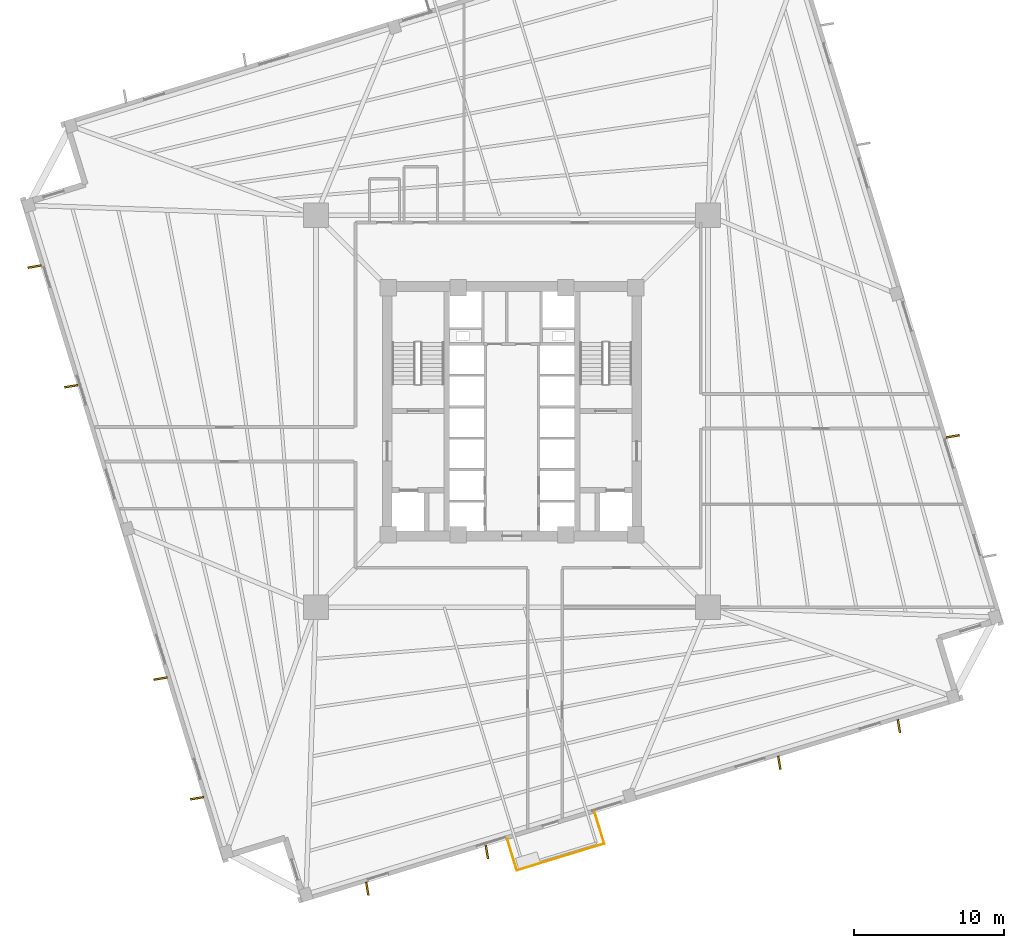
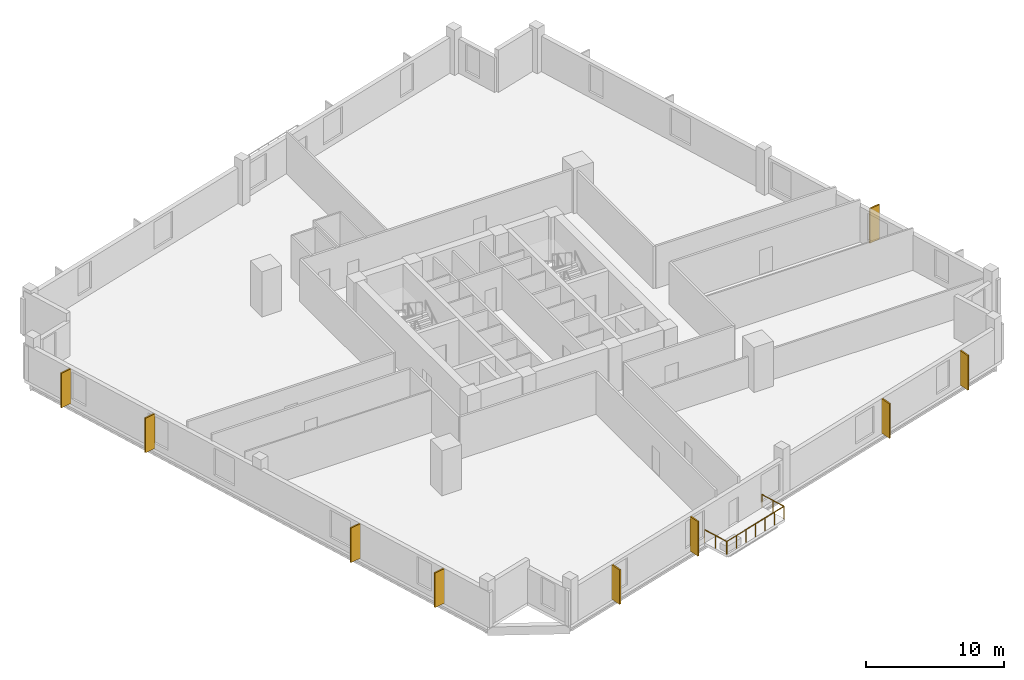
# One storey, part 6 of 8: 9 coverings, 3 railings.
"""IFC4 building model written with IfcOpenShell, lengths in metres."""

from ifc_helpers import new_model, si_unit, direction, frame, origin, origin_2d, place, context, subcontext, project, spatial, rectangle, circle, extrude, source, transform, mapped, material, layer, layer_set, type_object, element, save


model = new_model("IFC4")

# Units and contexts
model_context = context("Model", 3, precision=1e-05, world=origin(), true_north=direction((0.0, 1.0)))
body_context = subcontext(model_context, "Body", "Model", "MODEL_VIEW")
ifc_project = project(units=[si_unit("LENGTHUNIT", "METRE"), si_unit("AREAUNIT", "SQUARE_METRE"), si_unit("VOLUMEUNIT", "CUBIC_METRE"), si_unit("PLANEANGLEUNIT", "RADIAN"), si_unit("MASSUNIT", "GRAM", prefix="KILO"), si_unit("THERMODYNAMICTEMPERATUREUNIT", "KELVIN")], contexts=[model_context])

# Site, building, storey
site_placement = place(None, origin())
site = spatial("IfcSite", under=ifc_project, at=site_placement, CompositionType="ELEMENT")
building_placement = place(site_placement, origin())
building = spatial("IfcBuilding", under=site, at=building_placement, Name="Kosmvard Interchange Tower", CompositionType="ELEMENT")
storey_placement = place(building_placement, frame((0.0, 0.0, 103.199951171875)))
storey = spatial("IfcBuildingStorey", under=building, at=storey_placement, Name="L24", CompositionType="ELEMENT", Elevation=103.199951171875)

# Railings
ifc_material_1 = material(Name="Steel S355", Category="steel")
railing_type = type_object("IfcRailingType", Name="Observation & Balcony Glass-Infill Balustrade 1150", PredefinedType="BALUSTRADE", material=ifc_material_1)
shared_shape_1 = source(origin(), body_context, "Body", "SweptSolid", [
    extrude(circle(Radius=0.02392578125, at=origin_2d()), frame((0.0, 0.0, 1.1259765625), z_axis=(-0.292424349234, 0.956288659336, 0.0), x_axis=(-0.956288659336, -0.292424349234, 0.0)), (0.0, 0.0, 1.0), 2.199951171875),
    extrude(circle(Radius=0.02099609375, at=origin_2d()), origin(), (0.0, 0.0, 1.0), 1.101806640625),
    extrude(circle(Radius=0.02099609375, at=origin_2d()), frame((-0.32177734375, 1.0517578125, 0.0)), (0.0, 0.0, 1.0), 1.101806640625),
    extrude(circle(Radius=0.02099609375, at=origin_2d()), frame((-0.643310546875, 2.103759765625, 0.0)), (0.0, 0.0, 1.0), 1.101806640625),
])
railing_1_placement = place(storey_placement, frame((6.1572265625, -28.86083984375, 0.0)))
element("IfcRailing", 1, at=railing_1_placement, inside=storey, type_object=railing_type, Name="L24 Outdoor Terrace Guard BAL-L24-S-C", PredefinedType="BALUSTRADE", context=body_context, shape_type="MappedRepresentation", body=[
    mapped(shared_shape_1, transform((0.0, 0.0, 0.0), scale=1.0)),
])
shared_shape_2 = source(origin(), body_context, "Body", "SweptSolid", [
    extrude(circle(Radius=0.02392578125, at=origin_2d()), frame((0.0, 0.0, 1.1259765625), z_axis=(0.292424349234, -0.956288659336, 0.0), x_axis=(0.956288659336, 0.292424349234, 0.0)), (0.0, 0.0, 1.0), 2.199951171875),
    extrude(circle(Radius=0.02099609375, at=origin_2d()), origin(), (0.0, 0.0, 1.0), 1.101806640625),
    extrude(circle(Radius=0.02099609375, at=origin_2d()), frame((0.32177734375, -1.0517578125, 0.0)), (0.0, 0.0, 1.0), 1.101806640625),
    extrude(circle(Radius=0.02099609375, at=origin_2d()), frame((0.643310546875, -2.103759765625, 0.0)), (0.0, 0.0, 1.0), 1.101806640625),
])
railing_2_placement = place(storey_placement, frame((-0.319580078125, -28.54052734375, 0.0)))
element("IfcRailing", 2, at=railing_2_placement, inside=storey, type_object=railing_type, Name="L24 Outdoor Terrace Guard BAL-L24-S-A", PredefinedType="BALUSTRADE", context=body_context, shape_type="MappedRepresentation", body=[
    mapped(shared_shape_2, transform((0.0, 0.0, 0.0), scale=1.0)),
])

# Coverings
ifc_material_2 = material(Name="Architectural anodised aluminium", Category="aluminium")
ifc_layer = layer(ifc_material_2, 0.1201171875, Name="Architectural anodised aluminium")
ifc_layer_set = layer_set([ifc_layer], Name="Architectural anodised aluminium")
covering_type = type_object("IfcCoveringType", Name="Rotating Vertical Sun-Breaker Fin 900x120 Aluminium", PredefinedType="CLADDING", material=ifc_layer_set)
shared_shape_3 = source(origin(), body_context, "Body", "SweptSolid", [
    extrude(rectangle(XDim=0.89990234375, YDim=0.1201171875, at=origin_2d()), origin(), (0.0, 0.0, 1.0), 3.06005859375),
])
for number, where, z_axis, x_axis, name in (
    (3, (-9.6572265625, -31.865966796875, 0.0400390625), (0.0, 0.0, 1.0), (0.166080351041, -0.986112223329, 0.0), "L24 Rotating Vertical Sun-Breaker Fin 01"),
    (4, (-1.673583984375, -29.425048828125, 0.0400390625), (0.0, 0.0, 1.0), (0.166080351041, -0.986112223329, 0.0), "L24 Rotating Vertical Sun-Breaker Fin 02"),
    (5, (17.841796875, -23.45849609375, 0.0400390625), (0.0, 0.0, 1.0), (0.166080351041, -0.986112223329, 0.0), "L24 Rotating Vertical Sun-Breaker Fin 03"),
    (6, (25.825439453125, -21.017822265625, 0.0400390625), (0.0, 0.0, 1.0), (0.166080351041, -0.986112223329, 0.0), "L24 Rotating Vertical Sun-Breaker Fin 04"),
    (7, (29.425048828125, -1.673583984375, 0.0400390625), (0.0, 0.0, 1.0), (0.986112223329, 0.166080351041, 0.0), "L24 Rotating Vertical Sun-Breaker Fin 06"),
    (8, (-31.865966796875, 9.6572265625, 0.0400390625), (0.0, 0.0, 1.0), (-0.986112223329, -0.166080351041, 0.0), "L24 Rotating Vertical Sun-Breaker Fin 13"),
    (9, (-29.425048828125, 1.673583984375, 0.0400390625), (0.0, 0.0, 1.0), (-0.986112223329, -0.166080351041, 0.0), "L24 Rotating Vertical Sun-Breaker Fin 14"),
    (10, (-23.45849609375, -17.841796875, 0.0400390625), (0.0, 0.0, 1.0), (-0.986112223329, -0.166080351041, 0.0), "L24 Rotating Vertical Sun-Breaker Fin 15"),
    (11, (-21.017822265625, -25.825439453125, 0.0400390625), (0.0, 0.0, 1.0), (-0.986112223329, -0.166080351041, 0.0), "L24 Rotating Vertical Sun-Breaker Fin 16"),
):
    element("IfcCovering", number, at=place(storey_placement, frame(where, z_axis=z_axis, x_axis=x_axis)), inside=storey, type_object=covering_type, Name=name, PredefinedType="CLADDING", context=body_context, shape_type="MappedRepresentation", body=[
        mapped(shared_shape_3, transform((0.0, 0.0, 0.0), scale=1.0)),
    ])

# Railing
shared_shape_4 = source(origin(), body_context, "Body", "SweptSolid", [
    extrude(circle(Radius=0.02392578125, at=origin_2d()), frame((0.0, 0.0, 1.1259765625), z_axis=(0.956306198406, 0.292366986664, 0.0), x_axis=(-0.292366986664, 0.956306198406, 0.0)), (0.0, 0.0, 1.0), 6.10009765625),
    extrude(circle(Radius=0.02099609375, at=origin_2d()), origin(), (0.0, 0.0, 1.0), 1.101806640625),
    extrude(circle(Radius=0.02099609375, at=origin_2d()), frame((0.97216796875, 0.29736328125, 0.0)), (0.0, 0.0, 1.0), 1.101806640625),
    extrude(circle(Radius=0.02099609375, at=origin_2d()), frame((1.944580078125, 0.594482421875, 0.0)), (0.0, 0.0, 1.0), 1.101806640625),
    extrude(circle(Radius=0.02099609375, at=origin_2d()), frame((2.916748046875, 0.8916015625, 0.0)), (0.0, 0.0, 1.0), 1.101806640625),
    extrude(circle(Radius=0.02099609375, at=origin_2d()), frame((3.888916015625, 1.18896484375, 0.0)), (0.0, 0.0, 1.0), 1.101806640625),
    extrude(circle(Radius=0.02099609375, at=origin_2d()), frame((4.861328125, 1.486328125, 0.0)), (0.0, 0.0, 1.0), 1.101806640625),
    extrude(circle(Radius=0.02099609375, at=origin_2d()), frame((5.83349609375, 1.783447265625, 0.0)), (0.0, 0.0, 1.0), 1.101806640625),
])
railing_3_placement = place(storey_placement, frame((0.32373046875, -30.644287109375, 0.0)))
element("IfcRailing", 12, at=railing_3_placement, inside=storey, type_object=railing_type, Name="L24 Outdoor Terrace Guard BAL-L24-S-B", PredefinedType="BALUSTRADE", context=body_context, shape_type="MappedRepresentation", body=[
    mapped(shared_shape_4, transform((0.0, 0.0, 0.0), scale=1.0)),
])

save(model, "model.ifc")
